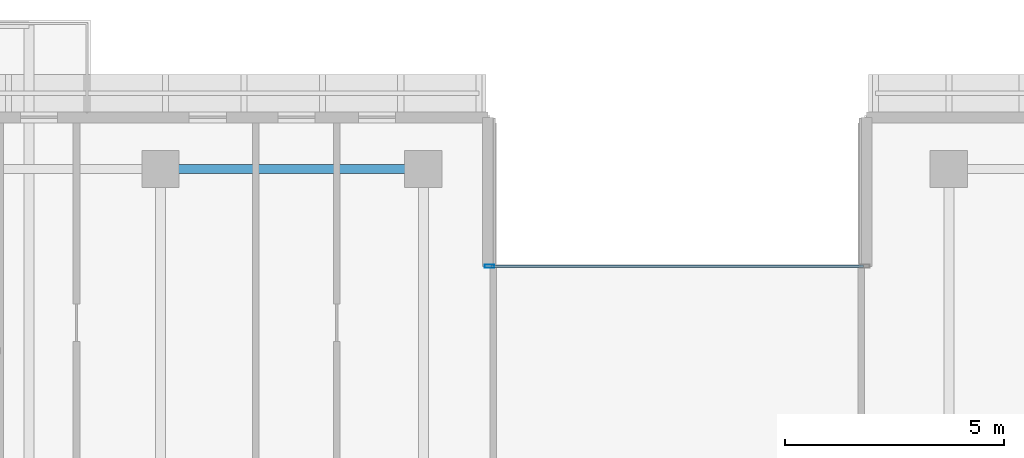
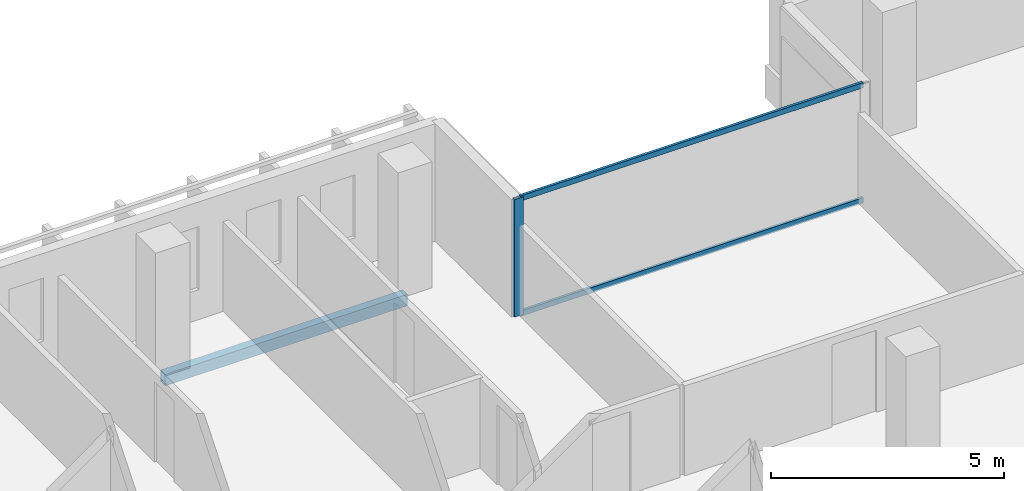
# One storey, part 6 of 19: 3 members, 1 beam, 1 element without a shape of its own.
"""IFC4 building model written with IfcOpenShell, lengths in metres."""

from ifc_helpers import new_model, si_unit, direction, frame, origin, origin_2d, place, context, subcontext, project, spatial, hollow_rectangle, extrude, material, layer, layer_set, material_profile, profile_set, type_object, element, aggregate, save


model = new_model("IFC4")

# Units and contexts
model_context = context("Model", 3, precision=1e-05, world=origin(), true_north=direction((0.0, 1.0)))
body_context = subcontext(model_context, "Body", "Model", "MODEL_VIEW")
ifc_project = project(units=[si_unit("LENGTHUNIT", "METRE"), si_unit("AREAUNIT", "SQUARE_METRE"), si_unit("VOLUMEUNIT", "CUBIC_METRE"), si_unit("PLANEANGLEUNIT", "RADIAN"), si_unit("MASSUNIT", "GRAM", prefix="KILO")], contexts=[model_context])

# Site, building, storey
site_placement = place(None, origin())
site = spatial("IfcSite", under=ifc_project, at=site_placement, CompositionType="ELEMENT")
building_placement = place(site_placement, origin())
building = spatial("IfcBuilding", under=site, at=building_placement, Name="Tanjung Sevakor Pilgrim Tower", CompositionType="ELEMENT")
storey_placement = place(building_placement, frame((0.0, 0.0, 155.10009765625)))
storey = spatial("IfcBuildingStorey", under=building, at=storey_placement, Name="L43", CompositionType="ELEMENT", Elevation=155.10009765625)

# Beam
ifc_material_1 = material(Name="Steel S355J2", Category="steel")
ifc_material_profile_1 = material_profile(ifc_material_1, hollow_rectangle(XDim=0.199951171875, YDim=0.300048828125, WallThickness=0.012451171875, at=origin_2d()))
ifc_profile_set_1 = profile_set([ifc_material_profile_1], Name="Steel S355J2")
beam_type = type_object("IfcBeamType", Name="BM-B-SP3-RHS_300x200x12.5", PredefinedType="SPANDREL", material=ifc_profile_set_1)
beam_placement = place(storey_placement, frame((36.0, 54.0, -0.3701171875), z_axis=(1.0, 0.0, 0.0), x_axis=(0.0, 1.0, 0.0)))
element("IfcBeam", 1, at=beam_placement, inside=storey, type_object=beam_type, Name="L43 Spandrel MAIN N-06", PredefinedType="SPANDREL", context=body_context, shape_type="SweptSolid", body=[
    extrude(hollow_rectangle(XDim=0.199951171875, YDim=0.300048828125, WallThickness=0.012451171875, at=origin_2d()), origin(), (0.0, 0.0, 1.0), 6.0),
])

# Curtain wall, members
ifc_material_2 = material(Name="Aluminium 6063-T6 and Low-E Glass", Category="aluminium")
ifc_layer = layer(ifc_material_2, 0.179931640625)
ifc_layer_set = layer_set([ifc_layer], Name="CW-SYS-CLEFT")
curtain_wall_type = type_object("IfcCurtainWallType", Name="CW-SYS-CLEFT", PredefinedType="NOTDEFINED", material=ifc_layer_set)
curtain_wall_placement = place(storey_placement, origin())
curtain_wall = element("IfcCurtainWall", 2, at=curtain_wall_placement, inside=storey, type_object=curtain_wall_type, Name="L43 Curtain Wall CW-CLF-L43-10", PredefinedType="NOTDEFINED")
ifc_material_3 = material(Name="Aluminium 6063-T6", Category="aluminium")
ifc_material_profile_2 = material_profile(ifc_material_3, hollow_rectangle(XDim=0.074951171875, YDim=0.219970703125, WallThickness=0.0048828125, at=origin_2d()))
ifc_profile_set_2 = profile_set([ifc_material_profile_2], Name="Aluminium 6063-T6")
member_type_1 = type_object("IfcMemberType", Name="TYPE-CWM-2", PredefinedType="MULLION", material=ifc_profile_set_2)
member_1_placement = place(storey_placement, frame((43.512451171875, 51.77490234375, 0.0), z_axis=(0.0, 0.0, 1.0), x_axis=(0.0, -1.0, 0.0)))
member_1 = element("IfcMember", 3, at=member_1_placement, type_object=member_type_1, Name="CW-CLF mullion 2", PredefinedType="MULLION", context=body_context, shape_type="SweptSolid", body=[
    extrude(hollow_rectangle(XDim=0.074951171875, YDim=0.219970703125, WallThickness=0.0048828125, at=origin_2d()), origin(), (0.0, 0.0, 1.0), 3.079833984375),
])
ifc_material_4 = material(Name="Aluminium 6063-T6", Category="aluminium")
ifc_material_profile_3 = material_profile(ifc_material_4, hollow_rectangle(XDim=0.06494140625, YDim=0.139892578125, WallThickness=0.00390625, at=origin_2d()))
ifc_profile_set_3 = profile_set([ifc_material_profile_3], Name="Aluminium 6063-T6")
member_type_2 = type_object("IfcMemberType", Name="TYPE-CWT-1", PredefinedType="USERDEFINED", material=ifc_profile_set_3)
member_2_placement = place(storey_placement, frame((52.050048828125, 51.77490234375, 0.032470703125), z_axis=(-1.0, 0.0, 0.0), x_axis=(0.0, -1.0, 0.0)))
member_2 = element("IfcMember", 4, at=member_2_placement, type_object=member_type_2, Name="CW-CLF transom 1.1", ObjectType="TRANSOM", PredefinedType="USERDEFINED", context=body_context, shape_type="SweptSolid", body=[
    extrude(hollow_rectangle(XDim=0.06494140625, YDim=0.139892578125, WallThickness=0.00390625, at=origin_2d()), origin(), (0.0, 0.0, 1.0), 8.5),
])
member_3_placement = place(storey_placement, frame((52.050048828125, 51.77490234375, 3.04736328125), z_axis=(-1.0, 0.0, 0.0), x_axis=(0.0, -1.0, 0.0)))
member_3 = element("IfcMember", 5, at=member_3_placement, type_object=member_type_2, Name="CW-CLF transom 1.2", ObjectType="TRANSOM", PredefinedType="USERDEFINED", context=body_context, shape_type="SweptSolid", body=[
    extrude(hollow_rectangle(XDim=0.06494140625, YDim=0.139892578125, WallThickness=0.00390625, at=origin_2d()), origin(), (0.0, 0.0, 1.0), 8.5),
])
aggregate(curtain_wall, [member_1, member_2, member_3])

save(model, "model.ifc")
